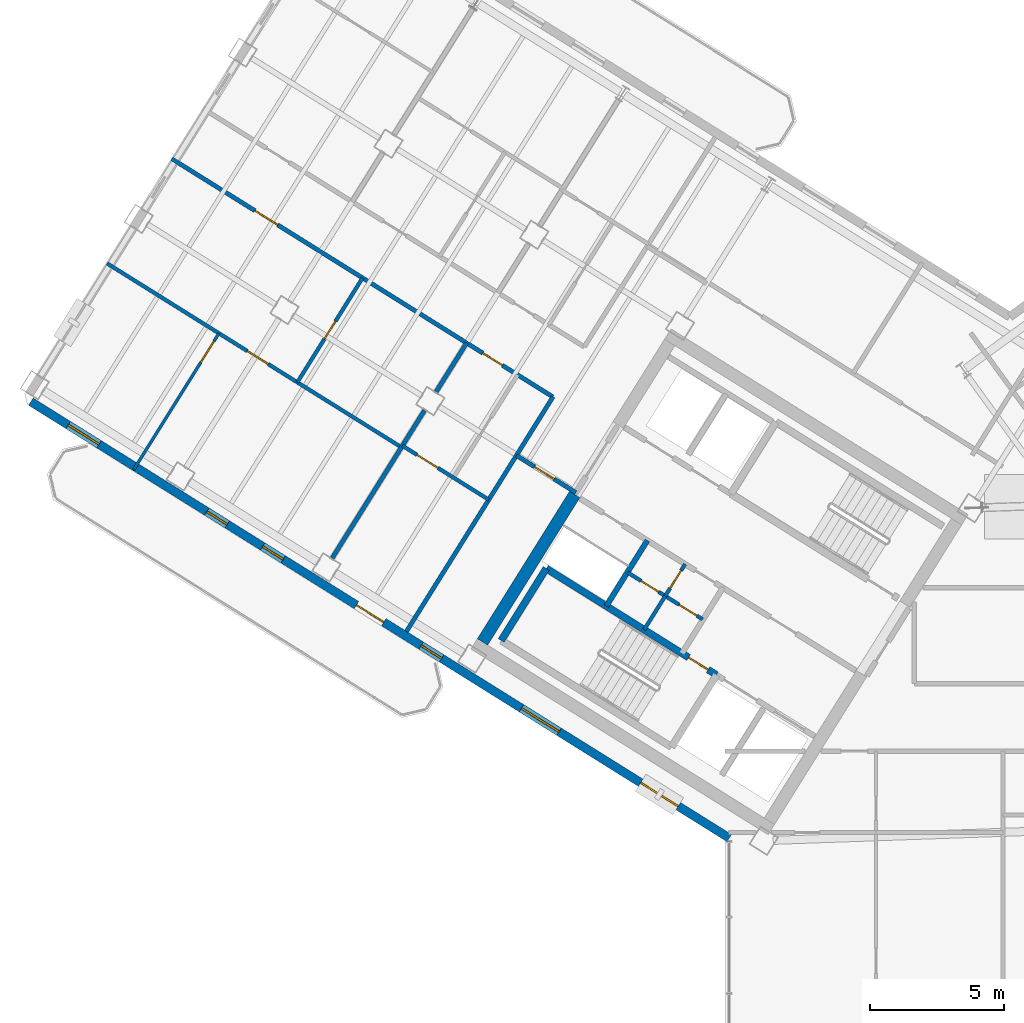
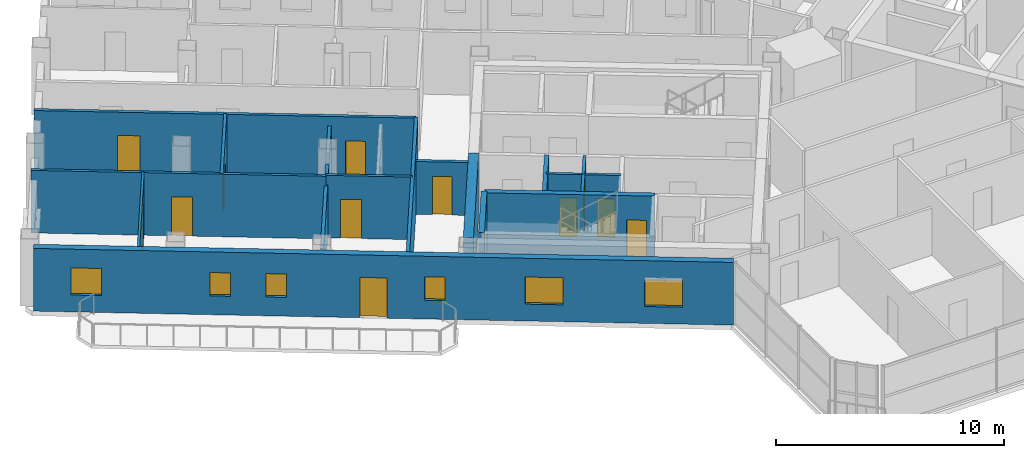
# One storey, part 13 of 23: 17 walls, 12 doors, 6 windows, 18 openings.
"""IFC4 building model written with IfcOpenShell, lengths in metres."""

from ifc_helpers import new_model, si_unit, direction, frame, frame_2d, origin, place, context, subcontext, project, spatial, rectangle, extrude, source, transform, mapped, material, layer, layer_set, type_object, element, fill, save


model = new_model("IFC4")

# Units and contexts
model_context = context("Model", 3, precision=1e-05, world=origin(), true_north=direction((0.0, 1.0)))
body_context = subcontext(model_context, "Body", "Model", "MODEL_VIEW")
ifc_project = project(units=[si_unit("LENGTHUNIT", "METRE"), si_unit("AREAUNIT", "SQUARE_METRE"), si_unit("VOLUMEUNIT", "CUBIC_METRE"), si_unit("PLANEANGLEUNIT", "RADIAN"), si_unit("MASSUNIT", "GRAM", prefix="KILO")], contexts=[model_context])

# Site, building, storey
site_placement = place(None, origin())
site = spatial("IfcSite", under=ifc_project, at=site_placement, CompositionType="ELEMENT")
building_placement = place(site_placement, origin())
building = spatial("IfcBuilding", under=site, at=building_placement, Name="Tlacorven Tower", CompositionType="ELEMENT")
storey_placement = place(building_placement, frame((0.0, 0.0, 218.39990234375)))
storey = spatial("IfcBuildingStorey", under=building, at=storey_placement, Name="L55", CompositionType="ELEMENT", Elevation=218.39990234375)

# Wall
ifc_material_1 = material(Name="Concrete C50/60", Category="concrete")
ifc_layer_1 = layer(ifc_material_1, 0.449951171875)
ifc_layer_set_1 = layer_set([ifc_layer_1], Name="Concrete C50/60")
wall_type_1 = type_object("IfcWallType", Name="WL-COR-450", PredefinedType="SHEAR", material=ifc_layer_set_1)
wall_1_placement = place(storey_placement, frame((26.006591796875, 24.975830078125, 0.0), z_axis=(0.0, 0.0, 1.0), x_axis=(-0.529931155655, -0.848040665456, 0.0)))
element("IfcWall", 1, at=wall_1_placement, inside=storey, type_object=wall_type_1, Name="L55 W core end wall E2.2", PredefinedType="SHEAR", context=body_context, shape_type="SweptSolid", body=[
    extrude(rectangle(XDim=6.47509765625, YDim=0.449951171875, at=frame_2d((3.237548828125, 0.0))), origin(), (0.0, 0.0, 1.0), 3.35009765625),
])

# Wall, opening, door
ifc_material_2 = material(Name="Gypsum plasterboard acoustic partition", Category="gypsum")
ifc_layer_2 = layer(ifc_material_2, 0.159912109375)
ifc_layer_set_2 = layer_set([ifc_layer_2], Name="Gypsum plasterboard acoustic partition")
wall_type_2 = type_object("IfcWallType", Name="WL-DEM-160", PredefinedType="PARTITIONING", material=ifc_layer_set_2)
wall_2_placement = place(storey_placement, frame((26.048828125, 25.043701171875, 0.0), z_axis=(0.0, 0.0, 1.0), x_axis=(-0.848050851465, 0.529914854792, 0.0)))
wall_2 = element("IfcWall", 2, at=wall_2_placement, inside=storey, type_object=wall_type_2, Name="L55 partition 39", PredefinedType="PARTITIONING", context=body_context, shape_type="SweptSolid", body=[
    extrude(rectangle(XDim=2.60986328125, YDim=0.159912109375, at=frame_2d((1.304931640625, 0.0))), origin(), (0.0, 0.0, 1.0), 2.8251953125),
])
opening_1_placement = place(wall_2_placement, frame((0.949951171875, 0.0, 0.0)))
opening_1 = element("IfcOpeningElement", 3, at=opening_1_placement, cuts=wall_2, Name="Opening D19", PredefinedType="OPENING", context=body_context, shape_type="SweptSolid", body=[
    extrude(rectangle(XDim=0.860107421875, YDim=2.050048828125, at=frame_2d((0.43017578125, 1.02490234375))), frame((0.0, 0.08984375, 0.0), z_axis=(0.0, -1.0, 0.0), x_axis=(1.0, 0.0, 0.0)), (0.0, 0.0, 1.0), 0.179931640625),
])
ifc_material_3 = material(Name="Fire-rated steel door assembly", Category="steel")
door_type_1 = type_object("IfcDoorType", Name="DR-RSR-FD60-0860", OperationType="NOTDEFINED", PredefinedType="DOOR", material=ifc_material_3)
shared_shape_1 = source(origin(), body_context, "Body", "SweptSolid", [
    extrude(rectangle(XDim=0.860107421875, YDim=2.050048828125, at=frame_2d((0.43017578125, 1.02490234375))), frame((0.0, 0.02490234375, 0.0), z_axis=(0.0, -1.0, 0.0), x_axis=(1.0, 0.0, 0.0)), (0.0, 0.0, 1.0), 0.050048828125),
])
door_1_placement = place(opening_1_placement, origin())
door_1 = element("IfcDoor", 4, at=door_1_placement, inside=storey, type_object=door_type_1, Name="L55 door 021", OperationType="SINGLE_SWING_RIGHT", OverallHeight=2.050048828125, OverallWidth=0.860107421875, PredefinedType="DOOR", context=body_context, shape_type="MappedRepresentation", body=[
    mapped(shared_shape_1, transform((0.0, 0.0, 0.0), scale=1.0)),
])
fill(opening_1, door_1)

# Wall
wall_3_placement = place(storey_placement, frame((25.197509765625, 28.606201171875, 0.0), z_axis=(0.0, 0.0, 1.0), x_axis=(-0.529926497642, -0.848043576178, 0.0)))
element("IfcWall", 5, at=wall_3_placement, inside=storey, type_object=wall_type_2, Name="L55 partition 41", PredefinedType="PARTITIONING", context=body_context, shape_type="SweptSolid", body=[
    extrude(rectangle(XDim=10.300048828125, YDim=0.159912109375, at=frame_2d((5.14990234375, 0.0))), origin(), (0.0, 0.0, 1.0), 3.340087890625),
])

# Wall, openings, doors
wall_4_placement = place(storey_placement, frame((25.197509765625, 28.606201171875, 0.0), z_axis=(0.0, 0.0, 1.0), x_axis=(-0.848052408131, 0.529912363569, 0.0)))
wall_4 = element("IfcWall", 6, at=wall_4_placement, inside=storey, type_object=wall_type_2, Name="L55 Wing W Corridor North Wall", PredefinedType="PARTITIONING", context=body_context, shape_type="SweptSolid", body=[
    extrude(rectangle(XDim=16.72998046875, YDim=0.159912109375, at=frame_2d((8.364990234375, 0.0))), origin(), (0.0, 0.0, 1.0), 3.340087890625),
])
opening_2_placement = place(wall_4_placement, frame((2.219970703125, 0.0, 0.0)))
opening_2 = element("IfcOpeningElement", 7, at=opening_2_placement, cuts=wall_4, Name="Opening D19", PredefinedType="OPENING", context=body_context, shape_type="SweptSolid", body=[
    extrude(rectangle(XDim=0.860107421875, YDim=2.050048828125, at=frame_2d((0.43017578125, 1.02490234375))), frame((0.0, 0.08984375, 0.0), z_axis=(0.0, -1.0, 0.0), x_axis=(1.0, 0.0, 0.0)), (0.0, 0.0, 1.0), 0.179931640625),
])
opening_3_placement = place(wall_4_placement, frame((12.083984375, 0.0, 0.0)))
opening_3 = element("IfcOpeningElement", 8, at=opening_3_placement, cuts=wall_4, Name="Opening D11", PredefinedType="OPENING", context=body_context, shape_type="SweptSolid", body=[
    extrude(rectangle(XDim=1.0, YDim=2.10009765625, at=frame_2d((0.5, 1.050048828125))), frame((0.0, 0.08984375, 0.0), z_axis=(0.0, -1.0, 0.0), x_axis=(1.0, 0.0, 0.0)), (0.0, 0.0, 1.0), 0.179931640625),
])
door_2_placement = place(opening_2_placement, origin())
door_2 = element("IfcDoor", 9, at=door_2_placement, inside=storey, type_object=door_type_1, Name="L55 door 023", OperationType="SINGLE_SWING_LEFT", OverallHeight=2.050048828125, OverallWidth=0.860107421875, PredefinedType="DOOR", context=body_context, shape_type="MappedRepresentation", body=[
    mapped(shared_shape_1, transform((0.0, 0.0, 0.0), scale=1.0)),
])
fill(opening_2, door_2)
door_type_2 = type_object("IfcDoorType", Name="DR-FLT-FD60-1000", OperationType="NOTDEFINED", PredefinedType="DOOR", material=ifc_material_3)
shared_shape_2 = source(origin(), body_context, "Body", "SweptSolid", [
    extrude(rectangle(XDim=1.0, YDim=2.10009765625, at=frame_2d((0.5, 1.050048828125))), frame((0.0, 0.02490234375, 0.0), z_axis=(0.0, -1.0, 0.0), x_axis=(1.0, 0.0, 0.0)), (0.0, 0.0, 1.0), 0.050048828125),
])
door_3_placement = place(opening_3_placement, origin())
door_3 = element("IfcDoor", 10, at=door_3_placement, inside=storey, type_object=door_type_2, Name="L55 door 027", OperationType="SINGLE_SWING_LEFT", OverallHeight=2.10009765625, OverallWidth=1.0, PredefinedType="DOOR", context=body_context, shape_type="MappedRepresentation", body=[
    mapped(shared_shape_2, transform((0.0, 0.0, 0.0), scale=1.0)),
])
fill(opening_3, door_3)

# Walls
wall_5_placement = place(storey_placement, frame((21.9833984375, 30.614501953125, 0.0), z_axis=(0.0, 0.0, 1.0), x_axis=(-0.529978410432, -0.848011134641, 0.0)))
element("IfcWall", 11, at=wall_5_placement, inside=storey, type_object=wall_type_2, Name="L55 WN Demising Wall 1", PredefinedType="PARTITIONING", context=body_context, shape_type="SweptSolid", body=[
    extrude(rectangle(XDim=2.137939453125, YDim=0.159912109375, at=frame_2d((1.06884765625, 0.0))), origin(), (0.0, 0.0, 1.0), 2.8251953125),
])
wall_6_placement = place(storey_placement, frame((20.413818359375, 28.102783203125, 0.0), z_axis=(0.0, 0.0, 1.0), x_axis=(-0.529934553702, -0.848038542045, 0.0)))
element("IfcWall", 12, at=wall_6_placement, inside=storey, type_object=wall_type_2, Name="L55 WN Demising Wall 1", PredefinedType="PARTITIONING", context=body_context, shape_type="SweptSolid", body=[
    extrude(rectangle(XDim=6.47607421875, YDim=0.159912109375, at=frame_2d((3.238037109375, 0.0))), origin(), (0.0, 0.0, 1.0), 2.8251953125),
])

# Wall, openings, door, windows
ifc_material_4 = material(Name="Precast concrete C45/55", Category="concrete")
ifc_layer_3 = layer(ifc_material_4, 0.320068359375)
ifc_layer_set_3 = layer_set([ifc_layer_3], Name="Precast concrete C45/55")
wall_type_3 = type_object("IfcWallType", Name="WL-EXT-320", PredefinedType="STANDARD", material=ifc_layer_set_3)
wall_7_placement = place(storey_placement, frame((31.760009765625, 12.18310546875, 0.0), z_axis=(0.0, 0.0, 1.0), x_axis=(-0.848047074256, 0.529920899612, 0.0)))
wall_7 = element("IfcWall", 13, at=wall_7_placement, inside=storey, type_object=wall_type_3, Name="L55 Masonry-Frame Recessed Facade Wall 1", PredefinedType="STANDARD", context=body_context, shape_type="SweptSolid", body=[
    extrude(rectangle(XDim=30.652099609375, YDim=0.320068359375, at=frame_2d((15.326171875, 0.0))), origin(), (0.0, 0.0, 1.0), 3.35009765625),
])
opening_4_placement = place(wall_7_placement, frame((15.165771484375, 0.0, 0.0)))
opening_4 = element("IfcOpeningElement", 14, at=opening_4_placement, cuts=wall_7, Name="Opening D05", PredefinedType="OPENING", context=body_context, shape_type="SweptSolid", body=[
    extrude(rectangle(XDim=1.199951171875, YDim=2.14990234375, at=frame_2d((0.60009765625, 1.074951171875))), frame((0.0, 0.169921875, 0.0), z_axis=(0.0, -1.0, 0.0), x_axis=(1.0, 0.0, 0.0)), (0.0, 0.0, 1.0), 0.340087890625),
])
opening_5_placement = place(wall_7_placement, frame((2.239501953125, 0.0, 0.89990234375)))
opening_5 = element("IfcOpeningElement", 15, at=opening_5_placement, cuts=wall_7, Name="Opening WN07", PredefinedType="OPENING", context=body_context, shape_type="SweptSolid", body=[
    extrude(rectangle(XDim=1.64990234375, YDim=1.449951171875, at=frame_2d((0.824951171875, 0.72509765625))), frame((0.0, 0.169921875, 0.0), z_axis=(0.0, -1.0, 0.0), x_axis=(1.0, 0.0, 0.0)), (0.0, 0.0, 1.0), 0.340087890625),
])
opening_6_placement = place(wall_7_placement, frame((7.46875, 0.0, 0.89990234375)))
opening_6 = element("IfcOpeningElement", 16, at=opening_6_placement, cuts=wall_7, Name="Opening WN07", PredefinedType="OPENING", context=body_context, shape_type="SweptSolid", body=[
    extrude(rectangle(XDim=1.64990234375, YDim=1.449951171875, at=frame_2d((0.824951171875, 0.72509765625))), frame((0.0, 0.169921875, 0.0), z_axis=(0.0, -1.0, 0.0), x_axis=(1.0, 0.0, 0.0)), (0.0, 0.0, 1.0), 0.340087890625),
])
opening_7_placement = place(wall_7_placement, frame((12.623291015625, 0.0, 1.0)))
opening_7 = element("IfcOpeningElement", 17, at=opening_7_placement, cuts=wall_7, Name="Opening WN05", PredefinedType="OPENING", context=body_context, shape_type="SweptSolid", body=[
    extrude(rectangle(XDim=0.89990234375, YDim=1.25, at=frame_2d((0.449951171875, 0.625))), frame((0.0, 0.169921875, 0.0), z_axis=(0.0, -1.0, 0.0), x_axis=(1.0, 0.0, 0.0)), (0.0, 0.0, 1.0), 0.340087890625),
])
opening_8_placement = place(wall_7_placement, frame((19.583251953125, 0.0, 1.0)))
opening_8 = element("IfcOpeningElement", 18, at=opening_8_placement, cuts=wall_7, Name="Opening WN05", PredefinedType="OPENING", context=body_context, shape_type="SweptSolid", body=[
    extrude(rectangle(XDim=0.89990234375, YDim=1.25, at=frame_2d((0.449951171875, 0.625))), frame((0.0, 0.169921875, 0.0), z_axis=(0.0, -1.0, 0.0), x_axis=(1.0, 0.0, 0.0)), (0.0, 0.0, 1.0), 0.340087890625),
])
opening_9_placement = place(wall_7_placement, frame((22.033203125, 0.0, 1.0)))
opening_9 = element("IfcOpeningElement", 19, at=opening_9_placement, cuts=wall_7, Name="Opening WN05", PredefinedType="OPENING", context=body_context, shape_type="SweptSolid", body=[
    extrude(rectangle(XDim=0.89990234375, YDim=1.25, at=frame_2d((0.449951171875, 0.625))), frame((0.0, 0.169921875, 0.0), z_axis=(0.0, -1.0, 0.0), x_axis=(1.0, 0.0, 0.0)), (0.0, 0.0, 1.0), 0.340087890625),
])
opening_10_placement = place(wall_7_placement, frame((27.665771484375, 0.0, 0.89990234375)))
opening_10 = element("IfcOpeningElement", 20, at=opening_10_placement, cuts=wall_7, Name="Opening WN08", PredefinedType="OPENING", context=body_context, shape_type="SweptSolid", body=[
    extrude(rectangle(XDim=1.35009765625, YDim=1.449951171875, at=frame_2d((0.675048828125, 0.72509765625))), frame((0.0, 0.169921875, 0.0), z_axis=(0.0, -1.0, 0.0), x_axis=(1.0, 0.0, 0.0)), (0.0, 0.0, 1.0), 0.340087890625),
])
ifc_material_5 = material(Name="Powder-coated aluminium and timber door", Category="wood")
door_type_3 = type_object("IfcDoorType", Name="DR-EXT-BALC-1200", OperationType="NOTDEFINED", PredefinedType="DOOR", material=ifc_material_5)
shared_shape_3 = source(origin(), body_context, "Body", "SweptSolid", [
    extrude(rectangle(XDim=1.199951171875, YDim=2.14990234375, at=frame_2d((0.60009765625, 1.074951171875))), frame((0.0, 0.02490234375, 0.0), z_axis=(0.0, -1.0, 0.0), x_axis=(1.0, 0.0, 0.0)), (0.0, 0.0, 1.0), 0.050048828125),
])
door_4_placement = place(opening_4_placement, origin())
door_4 = element("IfcDoor", 21, at=door_4_placement, inside=storey, type_object=door_type_3, Name="L55 Outdoor Access Door BAL-L55-W-OUT", OperationType="SINGLE_SWING_LEFT", OverallHeight=2.14990234375, OverallWidth=1.199951171875, PredefinedType="DOOR", context=body_context, shape_type="MappedRepresentation", body=[
    mapped(shared_shape_3, transform((0.0, 0.0, 0.0), scale=1.0)),
])
fill(opening_4, door_4)
ifc_material_6 = material(Name="Dark solar low-E double glazing in anodised aluminium frame", Category="aluminium")
window_type_1 = type_object("IfcWindowType", Name="WN-APT-0900X1350", PartitioningType="SINGLE_PANEL", PredefinedType="WINDOW", material=ifc_material_6)
shared_shape_4 = source(origin(), body_context, "Body", "SweptSolid", [
    extrude(rectangle(XDim=0.89990234375, YDim=1.25, at=frame_2d((0.449951171875, 0.625))), frame((0.0, 0.030029296875, 0.0), z_axis=(0.0, -1.0, 0.0), x_axis=(1.0, 0.0, 0.0)), (0.0, 0.0, 1.0), 0.06005859375),
])
window_1_placement = place(opening_7_placement, origin())
window_1 = element("IfcWindow", 22, at=window_1_placement, inside=storey, type_object=window_type_1, Name="L55 Recessed Masonry-Frame Window L55-01.3", OverallHeight=1.25, OverallWidth=0.89990234375, PartitioningType="SINGLE_PANEL", PredefinedType="WINDOW", context=body_context, shape_type="MappedRepresentation", body=[
    mapped(shared_shape_4, transform((0.0, 0.0, 0.0), scale=1.0)),
])
fill(opening_7, window_1)
window_2_placement = place(opening_8_placement, origin())
window_2 = element("IfcWindow", 23, at=window_2_placement, inside=storey, type_object=window_type_1, Name="L55 Recessed Masonry-Frame Window L55-01.4", OverallHeight=1.25, OverallWidth=0.89990234375, PartitioningType="SINGLE_PANEL", PredefinedType="WINDOW", context=body_context, shape_type="MappedRepresentation", body=[
    mapped(shared_shape_4, transform((0.0, 0.0, 0.0), scale=1.0)),
])
fill(opening_8, window_2)
window_3_placement = place(opening_9_placement, origin())
window_3 = element("IfcWindow", 24, at=window_3_placement, inside=storey, type_object=window_type_1, Name="L55 Recessed Masonry-Frame Window L55-01.5", OverallHeight=1.25, OverallWidth=0.89990234375, PartitioningType="SINGLE_PANEL", PredefinedType="WINDOW", context=body_context, shape_type="MappedRepresentation", body=[
    mapped(shared_shape_4, transform((0.0, 0.0, 0.0), scale=1.0)),
])
fill(opening_9, window_3)
window_type_2 = type_object("IfcWindowType", Name="WN-APT-1650X1600", PartitioningType="SINGLE_PANEL", PredefinedType="WINDOW", material=ifc_material_6)
shared_shape_5 = source(origin(), body_context, "Body", "SweptSolid", [
    extrude(rectangle(XDim=1.64990234375, YDim=1.449951171875, at=frame_2d((0.824951171875, 0.72509765625))), frame((0.0, 0.030029296875, 0.0), z_axis=(0.0, -1.0, 0.0), x_axis=(1.0, 0.0, 0.0)), (0.0, 0.0, 1.0), 0.06005859375),
])
window_4_placement = place(opening_5_placement, origin())
window_4 = element("IfcWindow", 25, at=window_4_placement, inside=storey, type_object=window_type_2, Name="L55 Recessed Masonry-Frame Window L55-01.1", OverallHeight=1.449951171875, OverallWidth=1.64990234375, PartitioningType="SINGLE_PANEL", PredefinedType="WINDOW", context=body_context, shape_type="MappedRepresentation", body=[
    mapped(shared_shape_5, transform((0.0, 0.0, 0.0), scale=1.0)),
])
fill(opening_5, window_4)
window_5_placement = place(opening_6_placement, origin())
window_5 = element("IfcWindow", 26, at=window_5_placement, inside=storey, type_object=window_type_2, Name="L55 Recessed Masonry-Frame Window L55-01.2", OverallHeight=1.449951171875, OverallWidth=1.64990234375, PartitioningType="SINGLE_PANEL", PredefinedType="WINDOW", context=body_context, shape_type="MappedRepresentation", body=[
    mapped(shared_shape_5, transform((0.0, 0.0, 0.0), scale=1.0)),
])
fill(opening_6, window_5)
window_type_3 = type_object("IfcWindowType", Name="WN-APT-1350X1550", PartitioningType="SINGLE_PANEL", PredefinedType="WINDOW", material=ifc_material_6)
shared_shape_6 = source(origin(), body_context, "Body", "SweptSolid", [
    extrude(rectangle(XDim=1.35009765625, YDim=1.449951171875, at=frame_2d((0.675048828125, 0.72509765625))), frame((0.0, 0.030029296875, 0.0), z_axis=(0.0, -1.0, 0.0), x_axis=(1.0, 0.0, 0.0)), (0.0, 0.0, 1.0), 0.06005859375),
])
window_6_placement = place(opening_10_placement, origin())
window_6 = element("IfcWindow", 27, at=window_6_placement, inside=storey, type_object=window_type_3, Name="L55 Recessed Masonry-Frame Window L55-01.6", OverallHeight=1.449951171875, OverallWidth=1.35009765625, PartitioningType="SINGLE_PANEL", PredefinedType="WINDOW", context=body_context, shape_type="MappedRepresentation", body=[
    mapped(shared_shape_6, transform((0.0, 0.0, 0.0), scale=1.0)),
])
fill(opening_10, window_6)

# Wall, opening, door
ifc_material_7 = material(Name="Gypsum plasterboard partition", Category="gypsum")
ifc_layer_4 = layer(ifc_material_7, 0.110107421875)
ifc_layer_set_4 = layer_set([ifc_layer_4], Name="Gypsum plasterboard partition")
wall_type_4 = type_object("IfcWallType", Name="WL-INT-110", PredefinedType="PARTITIONING", material=ifc_layer_set_4)
wall_8_placement = place(storey_placement, frame((12.763427734375, 30.97509765625, 0.0), z_axis=(0.0, 0.0, 1.0), x_axis=(-0.529947646893, -0.848030360042, 0.0)))
wall_8 = element("IfcWall", 28, at=wall_8_placement, inside=storey, type_object=wall_type_4, Name="L55 partition 50", PredefinedType="PARTITIONING", context=body_context, shape_type="SweptSolid", body=[
    extrude(rectangle(XDim=5.98974609375, YDim=0.110107421875, at=frame_2d((2.994873046875, 0.0))), origin(), (0.0, 0.0, 1.0), 3.340087890625),
])
opening_11_placement = place(wall_8_placement, frame((0.35009765625, 0.0, 0.0)))
opening_11 = element("IfcOpeningElement", 29, at=opening_11_placement, cuts=wall_8, Name="Opening D12", PredefinedType="OPENING", context=body_context, shape_type="SweptSolid", body=[
    extrude(rectangle(XDim=0.919921875, YDim=2.080078125, at=frame_2d((0.4599609375, 1.0400390625))), frame((0.0, 0.06494140625, 0.0), z_axis=(0.0, -1.0, 0.0), x_axis=(1.0, 0.0, 0.0)), (0.0, 0.0, 1.0), 0.130126953125),
])
door_type_4 = type_object("IfcDoorType", Name="DR-INT-ROOM-0920", OperationType="NOTDEFINED", PredefinedType="DOOR", material=ifc_material_5)
shared_shape_7 = source(origin(), body_context, "Body", "SweptSolid", [
    extrude(rectangle(XDim=0.919921875, YDim=2.080078125, at=frame_2d((0.4599609375, 1.0400390625))), frame((0.0, 0.02490234375, 0.0), z_axis=(0.0, -1.0, 0.0), x_axis=(1.0, 0.0, 0.0)), (0.0, 0.0, 1.0), 0.050048828125),
])
door_5_placement = place(opening_11_placement, origin())
door_5 = element("IfcDoor", 30, at=door_5_placement, inside=storey, type_object=door_type_4, Name="L55 door 026", OperationType="SINGLE_SWING_RIGHT", OverallHeight=2.080078125, OverallWidth=0.919921875, PredefinedType="DOOR", context=body_context, shape_type="MappedRepresentation", body=[
    mapped(shared_shape_7, transform((0.0, 0.0, 0.0), scale=1.0)),
])
fill(opening_11, door_5)

ifc_material_8 = material(Name="Moisture-resistant gypsum plumbing wall", Category="gypsum")
ifc_layer_5 = layer(ifc_material_8, 0.139892578125)
ifc_layer_set_5 = layer_set([ifc_layer_5], Name="Moisture-resistant gypsum plumbing wall")
wall_type_5 = type_object("IfcWallType", Name="WL-PLM-140", PredefinedType="PLUMBINGWALL", material=ifc_layer_set_5)
wall_9_placement = place(storey_placement, frame((30.117431640625, 22.383544921875, 0.0), z_axis=(0.0, 0.0, 1.0), x_axis=(-0.529951914384, -0.848027693204, 0.0)))
wall_9 = element("IfcWall", 31, at=wall_9_placement, inside=storey, type_object=wall_type_5, Name="L55 partition 18", PredefinedType="PLUMBINGWALL", context=body_context, shape_type="SweptSolid", body=[
    extrude(rectangle(XDim=1.39990234375, YDim=0.139892578125, at=frame_2d((0.699951171875, 0.0))), origin(), (0.0, 0.0, 1.0), 3.340087890625),
])
opening_12_placement = place(wall_9_placement, frame((0.280029296875, 0.0, 0.0)))
opening_12 = element("IfcOpeningElement", 32, at=opening_12_placement, cuts=wall_9, Name="Opening D22", PredefinedType="OPENING", context=body_context, shape_type="SweptSolid", body=[
    extrude(rectangle(XDim=0.780029296875, YDim=2.050048828125, at=frame_2d((0.39013671875, 1.02490234375))), frame((0.0, 0.080078125, 0.0), z_axis=(0.0, -1.0, 0.0), x_axis=(1.0, 0.0, 0.0)), (0.0, 0.0, 1.0), 0.159912109375),
])
door_type_5 = type_object("IfcDoorType", Name="DR-INT-WET-0780", OperationType="NOTDEFINED", PredefinedType="DOOR", material=ifc_material_5)
shared_shape_8 = source(origin(), body_context, "Body", "SweptSolid", [
    extrude(rectangle(XDim=0.780029296875, YDim=2.050048828125, at=frame_2d((0.39013671875, 1.02490234375))), frame((0.0, 0.02490234375, 0.0), z_axis=(0.0, -1.0, 0.0), x_axis=(1.0, 0.0, 0.0)), (0.0, 0.0, 1.0), 0.050048828125),
])
door_6_placement = place(opening_12_placement, origin())
door_6 = element("IfcDoor", 33, at=door_6_placement, inside=storey, type_object=door_type_5, Name="L55 door 010", OperationType="SINGLE_SWING_RIGHT", OverallHeight=2.050048828125, OverallWidth=0.780029296875, PredefinedType="DOOR", context=body_context, shape_type="MappedRepresentation", body=[
    mapped(shared_shape_8, transform((0.0, 0.0, 0.0), scale=1.0)),
])
fill(opening_12, door_6)

# Wall
wall_10_placement = place(storey_placement, frame((29.37548828125, 21.1962890625, 0.0), z_axis=(0.0, 0.0, 1.0), x_axis=(-0.529865479138, -0.848081702443, 0.0)))
element("IfcWall", 34, at=wall_10_placement, inside=storey, type_object=wall_type_5, Name="L55 partition 19", PredefinedType="PLUMBINGWALL", context=body_context, shape_type="SweptSolid", body=[
    extrude(rectangle(XDim=1.47998046875, YDim=0.139892578125, at=frame_2d((0.739990234375, 0.0))), origin(), (0.0, 0.0, 1.0), 3.340087890625),
])

# Wall, openings, doors
wall_11_placement = place(storey_placement, frame((30.766357421875, 20.3271484375, 0.0), z_axis=(0.0, 0.0, 1.0), x_axis=(-0.848052663127, 0.529911955482, 0.0)))
wall_11 = element("IfcWall", 35, at=wall_11_placement, inside=storey, type_object=wall_type_5, Name="L55 partition 20", PredefinedType="PLUMBINGWALL", context=body_context, shape_type="SweptSolid", body=[
    extrude(rectangle(XDim=3.27978515625, YDim=0.139892578125, at=frame_2d((1.639892578125, 0.0))), origin(), (0.0, 0.0, 1.0), 3.340087890625),
])
opening_13_placement = place(wall_11_placement, frame((0.25, 0.0, 0.0)))
opening_13 = element("IfcOpeningElement", 36, at=opening_13_placement, cuts=wall_11, Name="Opening D22", PredefinedType="OPENING", context=body_context, shape_type="SweptSolid", body=[
    extrude(rectangle(XDim=0.780029296875, YDim=2.050048828125, at=frame_2d((0.39013671875, 1.02490234375))), frame((0.0, 0.080078125, 0.0), z_axis=(0.0, -1.0, 0.0), x_axis=(1.0, 0.0, 0.0)), (0.0, 0.0, 1.0), 0.159912109375),
])
opening_14_placement = place(wall_11_placement, frame((1.919921875, 0.0, 0.0)))
opening_14 = element("IfcOpeningElement", 37, at=opening_14_placement, cuts=wall_11, Name="Opening D22", PredefinedType="OPENING", context=body_context, shape_type="SweptSolid", body=[
    extrude(rectangle(XDim=0.780029296875, YDim=2.050048828125, at=frame_2d((0.39013671875, 1.02490234375))), frame((0.0, 0.080078125, 0.0), z_axis=(0.0, -1.0, 0.0), x_axis=(1.0, 0.0, 0.0)), (0.0, 0.0, 1.0), 0.159912109375),
])
door_7_placement = place(opening_13_placement, origin())
door_7 = element("IfcDoor", 38, at=door_7_placement, inside=storey, type_object=door_type_5, Name="L55 door 011", OperationType="SINGLE_SWING_LEFT", OverallHeight=2.050048828125, OverallWidth=0.780029296875, PredefinedType="DOOR", context=body_context, shape_type="MappedRepresentation", body=[
    mapped(shared_shape_8, transform((0.0, 0.0, 0.0), scale=1.0)),
])
fill(opening_13, door_7)
door_8_placement = place(opening_14_placement, origin())
door_8 = element("IfcDoor", 39, at=door_8_placement, inside=storey, type_object=door_type_5, Name="L55 door 012", OperationType="SINGLE_SWING_RIGHT", OverallHeight=2.050048828125, OverallWidth=0.780029296875, PredefinedType="DOOR", context=body_context, shape_type="MappedRepresentation", body=[
    mapped(shared_shape_8, transform((0.0, 0.0, 0.0), scale=1.0)),
])
fill(opening_14, door_8)

# Wall, opening, door
wall_12_placement = place(storey_placement, frame((22.807373046875, 24.781494140625, 0.0), z_axis=(0.0, 0.0, 1.0), x_axis=(-0.84803087207, 0.529946827537, 0.0)))
wall_12 = element("IfcWall", 40, at=wall_12_placement, inside=storey, type_object=wall_type_5, Name="L55 partition 46", PredefinedType="PLUMBINGWALL", context=body_context, shape_type="SweptSolid", body=[
    extrude(rectangle(XDim=3.7900390625, YDim=0.139892578125, at=frame_2d((1.89501953125, 0.0))), origin(), (0.0, 0.0, 1.0), 3.340087890625),
])
opening_15_placement = place(wall_12_placement, frame((2.22998046875, 0.0, 0.0)))
opening_15 = element("IfcOpeningElement", 41, at=opening_15_placement, cuts=wall_12, Name="Opening D12", PredefinedType="OPENING", context=body_context, shape_type="SweptSolid", body=[
    extrude(rectangle(XDim=0.919921875, YDim=2.080078125, at=frame_2d((0.4599609375, 1.0400390625))), frame((0.0, 0.080078125, 0.0), z_axis=(0.0, -1.0, 0.0), x_axis=(1.0, 0.0, 0.0)), (0.0, 0.0, 1.0), 0.159912109375),
])
door_9_placement = place(opening_15_placement, origin())
door_9 = element("IfcDoor", 42, at=door_9_placement, inside=storey, type_object=door_type_4, Name="L55 door 024", OperationType="SINGLE_SWING_RIGHT", OverallHeight=2.080078125, OverallWidth=0.919921875, PredefinedType="DOOR", context=body_context, shape_type="MappedRepresentation", body=[
    mapped(shared_shape_7, transform((0.0, 0.0, 0.0), scale=1.0)),
])
fill(opening_15, door_9)

wall_13_placement = place(storey_placement, frame((19.556396484375, 26.73046875, 0.0), z_axis=(0.0, 0.0, 1.0), x_axis=(-0.848043949058, 0.52992590092, 0.0)))
wall_13 = element("IfcWall", 43, at=wall_13_placement, inside=storey, type_object=wall_type_5, Name="L55 partition 48", PredefinedType="PLUMBINGWALL", context=body_context, shape_type="SweptSolid", body=[
    extrude(rectangle(XDim=12.920166015625, YDim=0.139892578125, at=frame_2d((6.4599609375, 0.0))), origin(), (0.0, 0.0, 1.0), 3.340087890625),
])
opening_16_placement = place(wall_13_placement, frame((5.84912109375, 0.0, 0.0)))
opening_16 = element("IfcOpeningElement", 44, at=opening_16_placement, cuts=wall_13, Name="Opening D12", PredefinedType="OPENING", context=body_context, shape_type="SweptSolid", body=[
    extrude(rectangle(XDim=0.919921875, YDim=2.080078125, at=frame_2d((0.4599609375, 1.0400390625))), frame((0.0, 0.080078125, 0.0), z_axis=(0.0, -1.0, 0.0), x_axis=(1.0, 0.0, 0.0)), (0.0, 0.0, 1.0), 0.159912109375),
])
door_10_placement = place(opening_16_placement, origin())
door_10 = element("IfcDoor", 45, at=door_10_placement, inside=storey, type_object=door_type_4, Name="L55 door 028", OperationType="SINGLE_SWING_RIGHT", OverallHeight=2.080078125, OverallWidth=0.919921875, PredefinedType="DOOR", context=body_context, shape_type="MappedRepresentation", body=[
    mapped(shared_shape_7, transform((0.0, 0.0, 0.0), scale=1.0)),
])
fill(opening_16, door_10)

wall_14_placement = place(storey_placement, frame((18.109375, 33.035400390625, 0.0), z_axis=(0.0, 0.0, 1.0), x_axis=(-0.529893526057, -0.848064178611, 0.0)))
wall_14 = element("IfcWall", 46, at=wall_14_placement, inside=storey, type_object=wall_type_5, Name="L55 partition 49", PredefinedType="PLUMBINGWALL", context=body_context, shape_type="SweptSolid", body=[
    extrude(rectangle(XDim=4.580078125, YDim=0.139892578125, at=frame_2d((2.2900390625, 0.0))), origin(), (0.0, 0.0, 1.0), 3.340087890625),
])
opening_17_placement = place(wall_14_placement, frame((1.89990234375, 0.0, 0.0)))
opening_17 = element("IfcOpeningElement", 47, at=opening_17_placement, cuts=wall_14, Name="Opening D22", PredefinedType="OPENING", context=body_context, shape_type="SweptSolid", body=[
    extrude(rectangle(XDim=0.780029296875, YDim=2.050048828125, at=frame_2d((0.39013671875, 1.02490234375))), frame((0.0, 0.080078125, 0.0), z_axis=(0.0, -1.0, 0.0), x_axis=(1.0, 0.0, 0.0)), (0.0, 0.0, 1.0), 0.159912109375),
])
door_11_placement = place(opening_17_placement, origin())
door_11 = element("IfcDoor", 48, at=door_11_placement, inside=storey, type_object=door_type_5, Name="L55 door 029", OperationType="SINGLE_SWING_LEFT", OverallHeight=2.050048828125, OverallWidth=0.780029296875, PredefinedType="DOOR", context=body_context, shape_type="MappedRepresentation", body=[
    mapped(shared_shape_8, transform((0.0, 0.0, 0.0), scale=1.0)),
])
fill(opening_17, door_11)

# Wall
ifc_material_9 = material(Name="Concrete C40/50", Category="concrete")
ifc_layer_6 = layer(ifc_material_9, 0.199951171875)
ifc_layer_set_6 = layer_set([ifc_layer_6], Name="Concrete C40/50")
wall_type_6 = type_object("IfcWallType", Name="WL-SHF-200", PredefinedType="STANDARD", material=ifc_layer_set_6)
wall_15_placement = place(storey_placement, frame((28.709716796875, 23.26318359375, 0.0), z_axis=(0.0, 0.0, 1.0), x_axis=(-0.529907497854, -0.848055448493, 0.0)))
element("IfcWall", 49, at=wall_15_placement, inside=storey, type_object=wall_type_6, Name="L55 partition 16", PredefinedType="STANDARD", context=body_context, shape_type="SweptSolid", body=[
    extrude(rectangle(XDim=2.8798828125, YDim=0.199951171875, at=frame_2d((1.43994140625, 0.0))), origin(), (0.0, 0.0, 1.0), 3.340087890625),
])

# Wall, opening, door
ifc_layer_7 = layer(ifc_material_1, 0.260009765625)
ifc_layer_set_7 = layer_set([ifc_layer_7], Name="Concrete C50/60")
wall_type_7 = type_object("IfcWallType", Name="WL-STW-260", PredefinedType="SHEAR", material=ifc_layer_set_7)
wall_16_placement = place(storey_placement, frame((31.279541015625, 18.26123046875, 0.0), z_axis=(0.0, 0.0, 1.0), x_axis=(-0.848051618787, 0.529913626805, 0.0)))
wall_16 = element("IfcWall", 50, at=wall_16_placement, inside=storey, type_object=wall_type_7, Name="L55 Stair W1 Lobby Shear Wall", PredefinedType="SHEAR", context=body_context, shape_type="SweptSolid", body=[
    extrude(rectangle(XDim=7.4599609375, YDim=0.260009765625, at=frame_2d((3.72998046875, 0.0))), origin(), (0.0, 0.0, 1.0), 3.35009765625),
])
opening_18_placement = place(wall_16_placement, frame((0.360107421875, 0.0, 0.0)))
opening_18 = element("IfcOpeningElement", 51, at=opening_18_placement, cuts=wall_16, Name="Opening D19", PredefinedType="OPENING", context=body_context, shape_type="SweptSolid", body=[
    extrude(rectangle(XDim=0.860107421875, YDim=2.050048828125, at=frame_2d((0.43017578125, 1.02490234375))), frame((0.0, 0.14013671875, 0.0), z_axis=(0.0, -1.0, 0.0), x_axis=(1.0, 0.0, 0.0)), (0.0, 0.0, 1.0), 0.280029296875),
])
door_12_placement = place(opening_18_placement, frame((0.860107421875, 0.0, 0.0), z_axis=(0.0, 0.0, 1.0), x_axis=(-1.0, 0.0, 0.0)))
door_12 = element("IfcDoor", 52, at=door_12_placement, inside=storey, type_object=door_type_1, Name="L55 Exit Stair W1 Fire Door", OperationType="SINGLE_SWING_LEFT", OverallHeight=2.050048828125, OverallWidth=0.860107421875, PredefinedType="DOOR", context=body_context, shape_type="MappedRepresentation", body=[
    mapped(shared_shape_1, transform((0.0, 0.0, 0.0), scale=1.0)),
])
fill(opening_18, door_12)

# Wall
wall_17_placement = place(storey_placement, frame((24.944580078125, 22.2197265625, 0.0), z_axis=(0.0, 0.0, 1.0), x_axis=(-0.529908658664, -0.84805472316, 0.0)))
element("IfcWall", 53, at=wall_17_placement, inside=storey, type_object=wall_type_7, Name="L55 Stair W1 East Shear Wall", PredefinedType="SHEAR", context=body_context, shape_type="SweptSolid", body=[
    extrude(rectangle(XDim=3.16015625, YDim=0.260009765625, at=frame_2d((1.580078125, 0.0))), origin(), (0.0, 0.0, 1.0), 3.35009765625),
])

save(model, "model.ifc")
